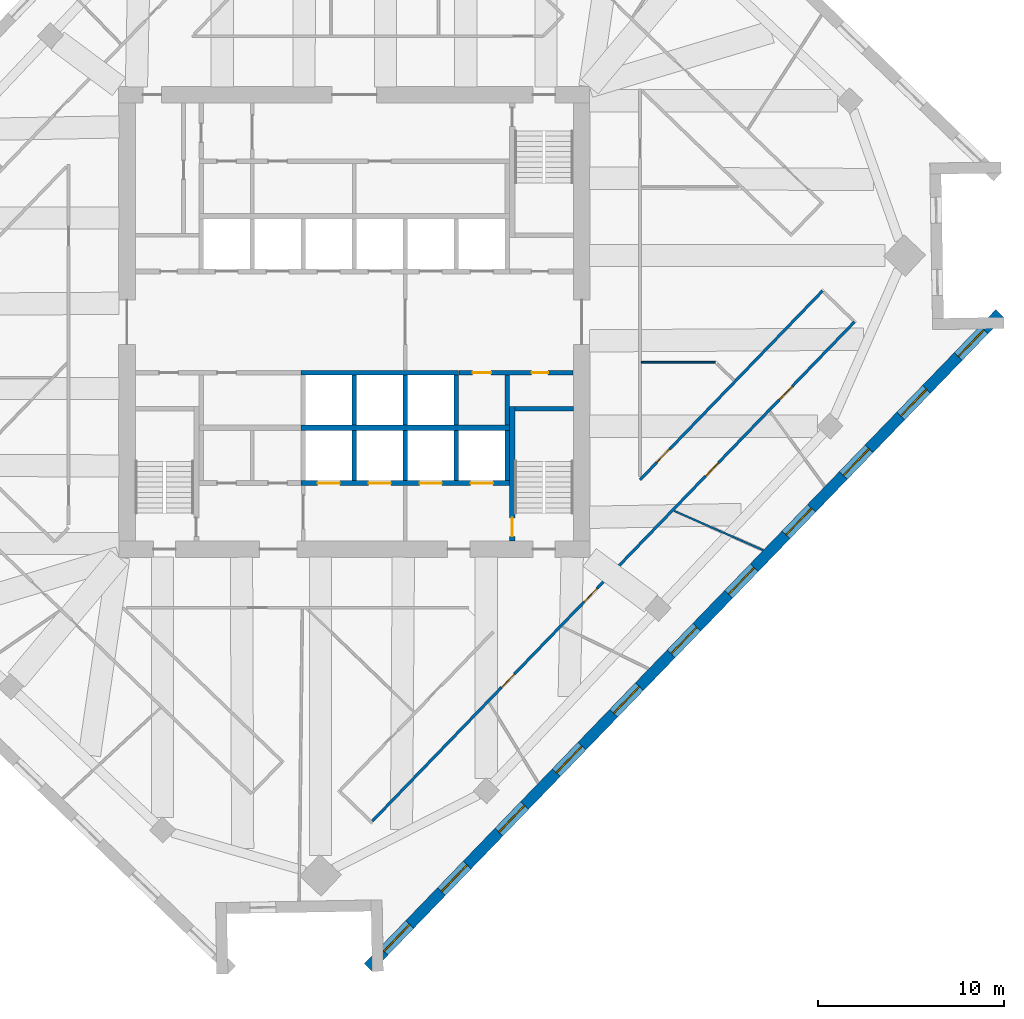
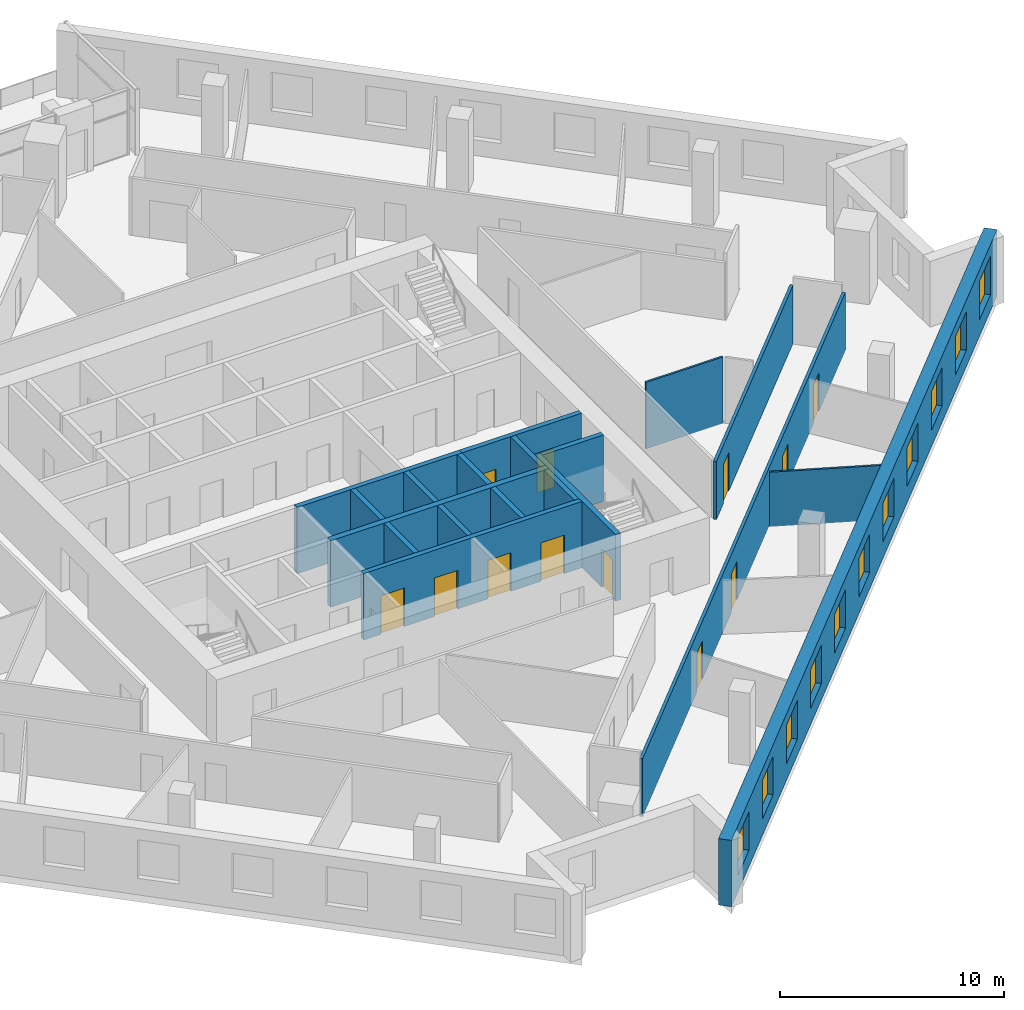
# One storey, part 7 of 13: 19 walls, 12 doors, 11 windows, 23 openings.
"""IFC4 building model written with IfcOpenShell, lengths in metres."""

from ifc_helpers import new_model, si_unit, direction, frame, frame_2d, origin, place, context, subcontext, project, spatial, rectangle, extrude, material, layer, layer_set, type_object, element, fill, save


model = new_model("IFC4")

# Units and contexts
model_context = context("Model", 3, precision=1e-05, world=origin(), true_north=direction((0.0, 1.0)))
body_context = subcontext(model_context, "Body", "Model", "MODEL_VIEW")
ifc_project = project(units=[si_unit("LENGTHUNIT", "METRE"), si_unit("AREAUNIT", "SQUARE_METRE"), si_unit("VOLUMEUNIT", "CUBIC_METRE"), si_unit("PLANEANGLEUNIT", "RADIAN"), si_unit("MASSUNIT", "GRAM", prefix="KILO")], contexts=[model_context])

# Site, building, storey
site_placement = place(None, origin())
site = spatial("IfcSite", under=ifc_project, at=site_placement, CompositionType="ELEMENT")
building_placement = place(site_placement, origin())
building = spatial("IfcBuilding", under=site, at=building_placement, Name="Dilmun Exchange Tower", CompositionType="ELEMENT")
storey_placement = place(building_placement, frame((0.0, 0.0, 205.300048828125)))
storey = spatial("IfcBuildingStorey", under=building, at=storey_placement, Name="L48", CompositionType="ELEMENT", Elevation=205.300048828125)

# Wall
ifc_material_1 = material(Name="Concrete C40/50", Category="concrete")
ifc_layer_1 = layer(ifc_material_1, 0.25)
ifc_layer_set_1 = layer_set([ifc_layer_1], Name="Concrete C40/50")
wall_type_1 = type_object("IfcWallType", Name="Core partition wall 250", PredefinedType="PARTITIONING", material=ifc_layer_set_1)
wall_1_placement = place(storey_placement, frame((8.25, -5.544921875, 0.0), z_axis=(0.0, 0.0, 1.0), x_axis=(0.0, 1.0, 0.0)))
element("IfcWall", 1, at=wall_1_placement, inside=storey, type_object=wall_type_1, Name="L48 core partition wall 08", PredefinedType="PARTITIONING", context=body_context, shape_type="SweptSolid", body=[
    extrude(rectangle(XDim=2.68994140625, YDim=0.25, at=frame_2d((1.344970703125, 0.0))), origin(), (0.0, 0.0, 1.0), 3.619873046875),
])

# Wall, openings, doors
wall_2_placement = place(storey_placement, frame((5.6298828125, -2.72509765625, 0.0), z_axis=(0.0, 0.0, 1.0), x_axis=(1.0, 0.0, 0.0)))
wall_2 = element("IfcWall", 2, at=wall_2_placement, inside=storey, type_object=wall_type_1, Name="L48 core partition wall 10", PredefinedType="PARTITIONING", context=body_context, shape_type="SweptSolid", body=[
    extrude(rectangle(XDim=6.1650390625, YDim=0.25, at=frame_2d((3.08251953125, 0.0))), origin(), (0.0, 0.0, 1.0), 3.619873046875),
])
opening_1_placement = place(wall_2_placement, frame((0.7451171875, 0.0, 0.0)))
opening_1 = element("IfcOpeningElement", 3, at=opening_1_placement, cuts=wall_2, Name="Opening CD4", PredefinedType="OPENING", context=body_context, shape_type="SweptSolid", body=[
    extrude(rectangle(XDim=1.0, YDim=2.10009765625, at=frame_2d((0.5, 1.050048828125))), frame((0.0, 0.135009765625, 0.0), z_axis=(0.0, -1.0, 0.0), x_axis=(1.0, 0.0, 0.0)), (0.0, 0.0, 1.0), 0.27001953125),
])
opening_2_placement = place(wall_2_placement, frame((3.919921875, 0.0, 0.0)))
opening_2 = element("IfcOpeningElement", 4, at=opening_2_placement, cuts=wall_2, Name="Opening CD6", PredefinedType="OPENING", context=body_context, shape_type="SweptSolid", body=[
    extrude(rectangle(XDim=0.89990234375, YDim=2.10009765625, at=frame_2d((0.449951171875, 1.050048828125))), frame((0.0, 0.135009765625, 0.0), z_axis=(0.0, -1.0, 0.0), x_axis=(1.0, 0.0, 0.0)), (0.0, 0.0, 1.0), 0.27001953125),
])
ifc_material_2 = material(Name="Fire-rated steel door set", Category="steel")
door_type_1 = type_object("IfcDoorType", Name="Core room door 1000x2100", OperationType="SINGLE_SWING_LEFT", PredefinedType="DOOR", material=ifc_material_2)
door_1_placement = place(opening_1_placement, origin())
door_1 = element("IfcDoor", 5, at=door_1_placement, inside=storey, type_object=door_type_1, Name="L48 door Cleaners' store", OperationType="SINGLE_SWING_LEFT", OverallHeight=2.10009765625, OverallWidth=1.0, PredefinedType="DOOR", context=body_context, shape_type="SweptSolid", body=[
    extrude(rectangle(XDim=1.0, YDim=2.10009765625, at=frame_2d((0.5, 1.050048828125))), frame((0.0, 0.02490234375, 0.0), z_axis=(0.0, -1.0, 0.0), x_axis=(1.0, 0.0, 0.0)), (0.0, 0.0, 1.0), 0.050048828125),
])
fill(opening_1, door_1)
door_type_2 = type_object("IfcDoorType", Name="Core room door 900x2100", OperationType="SINGLE_SWING_LEFT", PredefinedType="DOOR", material=ifc_material_2)
door_2_placement = place(opening_2_placement, origin())
door_2 = element("IfcDoor", 6, at=door_2_placement, inside=storey, type_object=door_type_2, Name="L48 door Comms riser", OperationType="SINGLE_SWING_LEFT", OverallHeight=2.10009765625, OverallWidth=0.89990234375, PredefinedType="DOOR", context=body_context, shape_type="SweptSolid", body=[
    extrude(rectangle(XDim=0.89990234375, YDim=2.10009765625, at=frame_2d((0.449951171875, 1.050048828125))), frame((0.0, 0.02490234375, 0.0), z_axis=(0.0, -1.0, 0.0), x_axis=(1.0, 0.0, 0.0)), (0.0, 0.0, 1.0), 0.050048828125),
])
fill(opening_2, door_2)

ifc_material_3 = material(Name="Corridor wall 150")
ifc_layer_2 = layer(ifc_material_3, 0.14990234375)
ifc_layer_set_2 = layer_set([ifc_layer_2], Name="Corridor wall 150")
wall_type_2 = type_object("IfcWallType", Name="Corridor wall 150", PredefinedType="PARTITIONING", material=ifc_layer_set_2)
wall_3_placement = place(storey_placement, frame((0.97705078125, -26.889892578125, 0.0), z_axis=(0.0, 0.0, 1.0), x_axis=(0.694659509326, 0.719338700546, 0.0)))
wall_3 = element("IfcWall", 7, at=wall_3_placement, inside=storey, type_object=wall_type_2, Name="Corridor wall", PredefinedType="PARTITIONING", context=body_context, shape_type="SweptSolid", body=[
    extrude(rectangle(XDim=37.40380859375, YDim=0.14990234375, at=frame_2d((18.701904296875, 0.0))), origin(), (0.0, 0.0, 1.0), 3.169921875),
])
opening_3_placement = place(wall_3_placement, frame((10.01708984375, 0.0, 0.0)))
opening_3 = element("IfcOpeningElement", 8, at=opening_3_placement, cuts=wall_3, Name="Opening TF48-D16", PredefinedType="OPENING", context=body_context, shape_type="SweptSolid", body=[
    extrude(rectangle(XDim=1.0, YDim=2.10009765625, at=frame_2d((0.5, 1.050048828125))), frame((0.0, 0.0849609375, 0.0), z_axis=(0.0, -1.0, 0.0), x_axis=(1.0, 0.0, 0.0)), (0.0, 0.0, 1.0), 0.169921875),
])
opening_4_placement = place(wall_3_placement, frame((16.41552734375, 0.0, 0.0)))
opening_4 = element("IfcOpeningElement", 9, at=opening_4_placement, cuts=wall_3, Name="Opening TF48-D18", PredefinedType="OPENING", context=body_context, shape_type="SweptSolid", body=[
    extrude(rectangle(XDim=1.0, YDim=2.10009765625, at=frame_2d((0.5, 1.050048828125))), frame((0.0, 0.0849609375, 0.0), z_axis=(0.0, -1.0, 0.0), x_axis=(1.0, 0.0, 0.0)), (0.0, 0.0, 1.0), 0.169921875),
])
opening_5_placement = place(wall_3_placement, frame((25.837646484375, 0.0, 0.0)))
opening_5 = element("IfcOpeningElement", 10, at=opening_5_placement, cuts=wall_3, Name="Opening TF48-D22", PredefinedType="OPENING", context=body_context, shape_type="SweptSolid", body=[
    extrude(rectangle(XDim=1.0, YDim=2.10009765625, at=frame_2d((0.5, 1.050048828125))), frame((0.0, 0.0849609375, 0.0), z_axis=(0.0, -1.0, 0.0), x_axis=(1.0, 0.0, 0.0)), (0.0, 0.0, 1.0), 0.169921875),
])
opening_6_placement = place(wall_3_placement, frame((31.565673828125, 0.0, 0.0)))
opening_6 = element("IfcOpeningElement", 11, at=opening_6_placement, cuts=wall_3, Name="Opening TF48-D24", PredefinedType="OPENING", context=body_context, shape_type="SweptSolid", body=[
    extrude(rectangle(XDim=1.0, YDim=2.10009765625, at=frame_2d((0.5, 1.050048828125))), frame((0.0, 0.0849609375, 0.0), z_axis=(0.0, -1.0, 0.0), x_axis=(1.0, 0.0, 0.0)), (0.0, 0.0, 1.0), 0.169921875),
])
ifc_material_4 = material(Name="Fire door 1000 x 2100")
door_type_3 = type_object("IfcDoorType", Name="Fire door 1000 x 2100", OperationType="NOTDEFINED", PredefinedType="DOOR", material=ifc_material_4)
door_3_placement = place(opening_3_placement, frame((1.0, 0.0, 0.0), z_axis=(0.0, 0.0, 1.0), x_axis=(-1.0, 0.0, 0.0)))
door_3 = element("IfcDoor", 12, at=door_3_placement, inside=storey, type_object=door_type_3, Name="Door TF48-D16", OperationType="SINGLE_SWING_LEFT", OverallHeight=2.10009765625, OverallWidth=1.0, PredefinedType="DOOR", context=body_context, shape_type="SweptSolid", body=[
    extrude(rectangle(XDim=1.0, YDim=2.10009765625, at=frame_2d((0.5, 1.050048828125))), frame((0.0, 0.02490234375, 0.0), z_axis=(0.0, -1.0, 0.0), x_axis=(1.0, 0.0, 0.0)), (0.0, 0.0, 1.0), 0.050048828125),
])
fill(opening_3, door_3)
door_4_placement = place(opening_4_placement, frame((1.0, 0.0, 0.0), z_axis=(0.0, 0.0, 1.0), x_axis=(-1.0, 0.0, 0.0)))
door_4 = element("IfcDoor", 13, at=door_4_placement, inside=storey, type_object=door_type_3, Name="Door TF48-D18", OperationType="SINGLE_SWING_RIGHT", OverallHeight=2.10009765625, OverallWidth=1.0, PredefinedType="DOOR", context=body_context, shape_type="SweptSolid", body=[
    extrude(rectangle(XDim=1.0, YDim=2.10009765625, at=frame_2d((0.5, 1.050048828125))), frame((0.0, 0.02490234375, 0.0), z_axis=(0.0, -1.0, 0.0), x_axis=(1.0, 0.0, 0.0)), (0.0, 0.0, 1.0), 0.050048828125),
])
fill(opening_4, door_4)
door_5_placement = place(opening_5_placement, frame((1.0, 0.0, 0.0), z_axis=(0.0, 0.0, 1.0), x_axis=(-1.0, 0.0, 0.0)))
door_5 = element("IfcDoor", 14, at=door_5_placement, inside=storey, type_object=door_type_3, Name="Door TF48-D22", OperationType="SINGLE_SWING_RIGHT", OverallHeight=2.10009765625, OverallWidth=1.0, PredefinedType="DOOR", context=body_context, shape_type="SweptSolid", body=[
    extrude(rectangle(XDim=1.0, YDim=2.10009765625, at=frame_2d((0.5, 1.050048828125))), frame((0.0, 0.02490234375, 0.0), z_axis=(0.0, -1.0, 0.0), x_axis=(1.0, 0.0, 0.0)), (0.0, 0.0, 1.0), 0.050048828125),
])
fill(opening_5, door_5)
door_6_placement = place(opening_6_placement, frame((1.0, 0.0, 0.0), z_axis=(0.0, 0.0, 1.0), x_axis=(-1.0, 0.0, 0.0)))
door_6 = element("IfcDoor", 15, at=door_6_placement, inside=storey, type_object=door_type_3, Name="Door TF48-D24", OperationType="SINGLE_SWING_RIGHT", OverallHeight=2.10009765625, OverallWidth=1.0, PredefinedType="DOOR", context=body_context, shape_type="SweptSolid", body=[
    extrude(rectangle(XDim=1.0, YDim=2.10009765625, at=frame_2d((0.5, 1.050048828125))), frame((0.0, 0.02490234375, 0.0), z_axis=(0.0, -1.0, 0.0), x_axis=(1.0, 0.0, 0.0)), (0.0, 0.0, 1.0), 0.050048828125),
])
fill(opening_6, door_6)

# Wall, opening, door
wall_4_placement = place(storey_placement, frame((15.39990234375, -8.5, 0.0), z_axis=(0.0, 0.0, 1.0), x_axis=(0.694668375929, 0.719330138034, 0.0)))
wall_4 = element("IfcWall", 16, at=wall_4_placement, inside=storey, type_object=wall_type_2, Name="Corridor wall", PredefinedType="PARTITIONING", context=body_context, shape_type="SweptSolid", body=[
    extrude(rectangle(XDim=14.156494140625, YDim=0.14990234375, at=frame_2d((7.078125, 0.0))), origin(), (0.0, 0.0, 1.0), 3.169921875),
])
opening_7_placement = place(wall_4_placement, frame((1.30029296875, 0.0, 0.0)))
opening_7 = element("IfcOpeningElement", 17, at=opening_7_placement, cuts=wall_4, Name="Opening TF48-D20", PredefinedType="OPENING", context=body_context, shape_type="SweptSolid", body=[
    extrude(rectangle(XDim=1.0, YDim=2.10009765625, at=frame_2d((0.5, 1.050048828125))), frame((0.0, 0.0849609375, 0.0), z_axis=(0.0, -1.0, 0.0), x_axis=(1.0, 0.0, 0.0)), (0.0, 0.0, 1.0), 0.169921875),
])
door_7_placement = place(opening_7_placement, origin())
door_7 = element("IfcDoor", 18, at=door_7_placement, inside=storey, type_object=door_type_3, Name="Door TF48-D20", OperationType="SINGLE_SWING_RIGHT", OverallHeight=2.10009765625, OverallWidth=1.0, PredefinedType="DOOR", context=body_context, shape_type="SweptSolid", body=[
    extrude(rectangle(XDim=1.0, YDim=2.10009765625, at=frame_2d((0.5, 1.050048828125))), frame((0.0, 0.02490234375, 0.0), z_axis=(0.0, -1.0, 0.0), x_axis=(1.0, 0.0, 0.0)), (0.0, 0.0, 1.0), 0.050048828125),
])
fill(opening_7, door_7)

# Walls
ifc_layer_3 = layer(ifc_material_1, 0.300048828125)
ifc_layer_set_3 = layer_set([ifc_layer_3], Name="Concrete C40/50")
wall_type_3 = type_object("IfcWallType", Name="Lift shaft shared wall 300", PredefinedType="SOLIDWALL", material=ifc_layer_set_3)
wall_5_placement = place(storey_placement, frame((-2.875, -5.699951171875, 0.0), z_axis=(0.0, 0.0, 1.0), x_axis=(1.0, 0.0, 0.0)))
element("IfcWall", 19, at=wall_5_placement, inside=storey, type_object=wall_type_3, Name="L48 lift shaft rear wall S", PredefinedType="SOLIDWALL", context=body_context, shape_type="SweptSolid", body=[
    extrude(rectangle(XDim=11.25, YDim=0.300048828125, at=frame_2d((5.625, 0.0))), origin(), (0.0, 0.0, 1.0), 3.619873046875),
])
ifc_layer_4 = layer(ifc_material_1, 0.25)
ifc_layer_set_4 = layer_set([ifc_layer_4], Name="Concrete C40/50")
wall_type_4 = type_object("IfcWallType", Name="Lift shaft wall 250", PredefinedType="SOLIDWALL", material=ifc_layer_set_4)
wall_6_placement = place(storey_placement, frame((-2.875, -2.72509765625, 0.0), z_axis=(0.0, 0.0, 1.0), x_axis=(1.0, 0.0, 0.0)))
element("IfcWall", 20, at=wall_6_placement, inside=storey, type_object=wall_type_4, Name="L48 lift shaft front wall S1", PredefinedType="SOLIDWALL", context=body_context, shape_type="SweptSolid", body=[
    extrude(rectangle(XDim=8.5, YDim=0.25, at=frame_2d((4.25, 0.0))), origin(), (0.0, 0.0, 1.0), 3.619873046875),
])
for number, where, z_axis, x_axis, name in (
    (21, (0.0, -5.550048828125, 0.0), (0.0, 0.0, 1.0), (0.0, 1.0, 0.0), "L48 lift shaft divider S13"),
    (22, (2.75, -5.550048828125, 0.0), (0.0, 0.0, 1.0), (0.0, 1.0, 0.0), "L48 lift shaft divider S14"),
    (23, (5.5, -5.550048828125, 0.0), (0.0, 0.0, 1.0), (0.0, 1.0, 0.0), "L48 lift shaft divider S15"),
):
    element("IfcWall", number, at=place(storey_placement, frame(where, z_axis=z_axis, x_axis=x_axis)), inside=storey, type_object=wall_type_4, Name=name, PredefinedType="SOLIDWALL", context=body_context, shape_type="SweptSolid", body=[
        extrude(rectangle(XDim=2.699951171875, YDim=0.25, at=frame_2d((1.35009765625, 0.0))), origin(), (0.0, 0.0, 1.0), 3.619873046875),
    ])

# Wall, openings, doors
wall_7_placement = place(storey_placement, frame((-2.875, -8.675048828125, 0.0), z_axis=(0.0, 0.0, 1.0), x_axis=(1.0, 0.0, 0.0)))
wall_7 = element("IfcWall", 24, at=wall_7_placement, inside=storey, type_object=wall_type_4, Name="L48 lift shaft front wall S2", PredefinedType="SOLIDWALL", context=body_context, shape_type="SweptSolid", body=[
    extrude(rectangle(XDim=11.25, YDim=0.25, at=frame_2d((5.625, 0.0))), origin(), (0.0, 0.0, 1.0), 3.619873046875),
])
opening_8_placement = place(wall_7_placement, frame((0.89990234375, 0.0, 0.0)))
opening_8 = element("IfcOpeningElement", 25, at=opening_8_placement, cuts=wall_7, Name="Opening LD", PredefinedType="OPENING", context=body_context, shape_type="SweptSolid", body=[
    extrude(rectangle(XDim=1.199951171875, YDim=2.10009765625, at=frame_2d((0.60009765625, 1.050048828125))), frame((0.0, 0.135009765625, 0.0), z_axis=(0.0, -1.0, 0.0), x_axis=(1.0, 0.0, 0.0)), (0.0, 0.0, 1.0), 0.27001953125),
])
opening_9_placement = place(wall_7_placement, frame((3.64990234375, 0.0, 0.0)))
opening_9 = element("IfcOpeningElement", 26, at=opening_9_placement, cuts=wall_7, Name="Opening LD", PredefinedType="OPENING", context=body_context, shape_type="SweptSolid", body=[
    extrude(rectangle(XDim=1.199951171875, YDim=2.10009765625, at=frame_2d((0.60009765625, 1.050048828125))), frame((0.0, 0.135009765625, 0.0), z_axis=(0.0, -1.0, 0.0), x_axis=(1.0, 0.0, 0.0)), (0.0, 0.0, 1.0), 0.27001953125),
])
opening_10_placement = place(wall_7_placement, frame((6.39990234375, 0.0, 0.0)))
opening_10 = element("IfcOpeningElement", 27, at=opening_10_placement, cuts=wall_7, Name="Opening LD", PredefinedType="OPENING", context=body_context, shape_type="SweptSolid", body=[
    extrude(rectangle(XDim=1.199951171875, YDim=2.10009765625, at=frame_2d((0.60009765625, 1.050048828125))), frame((0.0, 0.135009765625, 0.0), z_axis=(0.0, -1.0, 0.0), x_axis=(1.0, 0.0, 0.0)), (0.0, 0.0, 1.0), 0.27001953125),
])
opening_11_placement = place(wall_7_placement, frame((9.14990234375, 0.0, 0.0)))
opening_11 = element("IfcOpeningElement", 28, at=opening_11_placement, cuts=wall_7, Name="Opening LD", PredefinedType="OPENING", context=body_context, shape_type="SweptSolid", body=[
    extrude(rectangle(XDim=1.199951171875, YDim=2.10009765625, at=frame_2d((0.60009765625, 1.050048828125))), frame((0.0, 0.135009765625, 0.0), z_axis=(0.0, -1.0, 0.0), x_axis=(1.0, 0.0, 0.0)), (0.0, 0.0, 1.0), 0.27001953125),
])
door_type_4 = type_object("IfcDoorType", Name="Lift landing door 1200x2100", OperationType="DOUBLE_DOOR_SLIDING", PredefinedType="DOOR", material=ifc_material_2)
door_8_placement = place(opening_8_placement, origin())
door_8 = element("IfcDoor", 29, at=door_8_placement, inside=storey, type_object=door_type_4, Name="L48 landing door SV1", OperationType="DOUBLE_DOOR_SLIDING", OverallHeight=2.10009765625, OverallWidth=1.199951171875, PredefinedType="DOOR", context=body_context, shape_type="SweptSolid", body=[
    extrude(rectangle(XDim=1.199951171875, YDim=2.10009765625, at=frame_2d((0.60009765625, 1.050048828125))), frame((0.0, 0.02490234375, 0.0), z_axis=(0.0, -1.0, 0.0), x_axis=(1.0, 0.0, 0.0)), (0.0, 0.0, 1.0), 0.050048828125),
])
fill(opening_8, door_8)
door_9_placement = place(opening_9_placement, origin())
door_9 = element("IfcDoor", 30, at=door_9_placement, inside=storey, type_object=door_type_4, Name="L48 landing door SV2", OperationType="DOUBLE_DOOR_SLIDING", OverallHeight=2.10009765625, OverallWidth=1.199951171875, PredefinedType="DOOR", context=body_context, shape_type="SweptSolid", body=[
    extrude(rectangle(XDim=1.199951171875, YDim=2.10009765625, at=frame_2d((0.60009765625, 1.050048828125))), frame((0.0, 0.02490234375, 0.0), z_axis=(0.0, -1.0, 0.0), x_axis=(1.0, 0.0, 0.0)), (0.0, 0.0, 1.0), 0.050048828125),
])
fill(opening_9, door_9)
door_10_placement = place(opening_10_placement, origin())
door_10 = element("IfcDoor", 31, at=door_10_placement, inside=storey, type_object=door_type_4, Name="L48 landing door FF1", OperationType="DOUBLE_DOOR_SLIDING", OverallHeight=2.10009765625, OverallWidth=1.199951171875, PredefinedType="DOOR", context=body_context, shape_type="SweptSolid", body=[
    extrude(rectangle(XDim=1.199951171875, YDim=2.10009765625, at=frame_2d((0.60009765625, 1.050048828125))), frame((0.0, 0.02490234375, 0.0), z_axis=(0.0, -1.0, 0.0), x_axis=(1.0, 0.0, 0.0)), (0.0, 0.0, 1.0), 0.050048828125),
])
fill(opening_10, door_10)
door_11_placement = place(opening_11_placement, origin())
door_11 = element("IfcDoor", 32, at=door_11_placement, inside=storey, type_object=door_type_4, Name="L48 landing door FF2", OperationType="DOUBLE_DOOR_SLIDING", OverallHeight=2.10009765625, OverallWidth=1.199951171875, PredefinedType="DOOR", context=body_context, shape_type="SweptSolid", body=[
    extrude(rectangle(XDim=1.199951171875, YDim=2.10009765625, at=frame_2d((0.60009765625, 1.050048828125))), frame((0.0, 0.02490234375, 0.0), z_axis=(0.0, -1.0, 0.0), x_axis=(1.0, 0.0, 0.0)), (0.0, 0.0, 1.0), 0.050048828125),
])
fill(opening_11, door_11)

# Walls
for number, where, z_axis, x_axis, name in (
    (33, (0.0, -8.550048828125, 0.0), (0.0, 0.0, 1.0), (0.0, 1.0, 0.0), "L48 lift shaft divider S23"),
    (34, (2.75, -8.550048828125, 0.0), (0.0, 0.0, 1.0), (0.0, 1.0, 0.0), "L48 lift shaft divider S24"),
    (35, (5.5, -8.550048828125, 0.0), (0.0, 0.0, 1.0), (0.0, 1.0, 0.0), "L48 lift shaft divider S25"),
    (36, (8.25, -8.550048828125, 0.0), (0.0, 0.0, 1.0), (0.0, 1.0, 0.0), "L48 lift shaft divider S26"),
):
    element("IfcWall", number, at=place(storey_placement, frame(where, z_axis=z_axis, x_axis=x_axis)), inside=storey, type_object=wall_type_4, Name=name, PredefinedType="SOLIDWALL", context=body_context, shape_type="SweptSolid", body=[
        extrude(rectangle(XDim=2.699951171875, YDim=0.25, at=frame_2d((1.35009765625, 0.0))), origin(), (0.0, 0.0, 1.0), 3.619873046875),
    ])
ifc_material_5 = material(Name="Partition 100")
ifc_layer_5 = layer(ifc_material_5, 0.10009765625)
ifc_layer_set_5 = layer_set([ifc_layer_5], Name="Partition 100")
wall_type_5 = type_object("IfcWallType", Name="Partition 100", PredefinedType="PARTITIONING", material=ifc_layer_set_5)
wall_8_placement = place(storey_placement, frame((15.47509765625, -2.162109375, 0.0), z_axis=(0.0, 0.0, 1.0), x_axis=(1.0, 0.0, 0.0)))
element("IfcWall", 37, at=wall_8_placement, inside=storey, type_object=wall_type_5, Name="Partition", PredefinedType="PARTITIONING", context=body_context, shape_type="SweptSolid", body=[
    extrude(rectangle(XDim=3.97900390625, YDim=0.10009765625, at=frame_2d((1.989501953125, 0.0))), origin(), (0.0, 0.0, 1.0), 3.619873046875),
])
wall_9_placement = place(storey_placement, frame((17.243896484375, -10.177734375, 0.0), z_axis=(0.0, 0.0, 1.0), x_axis=(0.914761015663, -0.403995401239, 0.0)))
element("IfcWall", 38, at=wall_9_placement, inside=storey, type_object=wall_type_5, Name="Partition", PredefinedType="PARTITIONING", context=body_context, shape_type="SweptSolid", body=[
    extrude(rectangle(XDim=5.245361328125, YDim=0.10009765625, at=frame_2d((2.62255859375, 0.0))), origin(), (0.0, 0.0, 1.0), 2.969970703125),
])

# Wall, openings, windows
ifc_material_6 = material(Name="Precast concrete C50/60", Category="concrete")
ifc_layer_6 = layer(ifc_material_6, 0.60009765625)
ifc_layer_set_6 = layer_set([ifc_layer_6], Name="Precast concrete C50/60")
wall_type_6 = type_object("IfcWallType", Name="Precast stone-clad wall 600", PredefinedType="STANDARD", material=ifc_layer_set_6)
wall_10_placement = place(storey_placement, frame((0.74853515625, -34.781982421875, 0.0), z_axis=(0.0, 0.0, 1.0), x_axis=(0.694657553534, 0.719340589233, 0.0)))
wall_10 = element("IfcWall", 39, at=wall_10_placement, inside=storey, type_object=wall_type_6, Name="Facade wall L48-11", PredefinedType="STANDARD", context=body_context, shape_type="SweptSolid", body=[
    extrude(rectangle(XDim=49.000244140625, YDim=0.60009765625, at=frame_2d((24.5, 0.0))), origin(), (0.0, 0.0, 1.0), 3.619873046875),
])
opening_12_placement = place(wall_10_placement, frame((1.227294921875, 0.0, 0.89990234375)))
opening_12 = element("IfcOpeningElement", 40, at=opening_12_placement, cuts=wall_10, Name="Opening W200-210", PredefinedType="OPENING", context=body_context, shape_type="SweptSolid", body=[
    extrude(rectangle(XDim=2.0, YDim=2.10009765625, at=frame_2d((1.0, 1.050048828125))), frame((0.0, 0.31005859375, 0.0), z_axis=(0.0, -1.0, 0.0), x_axis=(1.0, 0.0, 0.0)), (0.0, 0.0, 1.0), 0.6201171875),
])
opening_13_placement = place(wall_10_placement, frame((5.681884765625, 0.0, 0.89990234375)))
opening_13 = element("IfcOpeningElement", 41, at=opening_13_placement, cuts=wall_10, Name="Opening W200-210", PredefinedType="OPENING", context=body_context, shape_type="SweptSolid", body=[
    extrude(rectangle(XDim=2.0, YDim=2.10009765625, at=frame_2d((1.0, 1.050048828125))), frame((0.0, 0.31005859375, 0.0), z_axis=(0.0, -1.0, 0.0), x_axis=(1.0, 0.0, 0.0)), (0.0, 0.0, 1.0), 0.6201171875),
])
opening_14_placement = place(wall_10_placement, frame((10.136474609375, 0.0, 0.89990234375)))
opening_14 = element("IfcOpeningElement", 42, at=opening_14_placement, cuts=wall_10, Name="Opening W200-210", PredefinedType="OPENING", context=body_context, shape_type="SweptSolid", body=[
    extrude(rectangle(XDim=2.0, YDim=2.10009765625, at=frame_2d((1.0, 1.050048828125))), frame((0.0, 0.31005859375, 0.0), z_axis=(0.0, -1.0, 0.0), x_axis=(1.0, 0.0, 0.0)), (0.0, 0.0, 1.0), 0.6201171875),
])
opening_15_placement = place(wall_10_placement, frame((14.5908203125, 0.0, 0.89990234375)))
opening_15 = element("IfcOpeningElement", 43, at=opening_15_placement, cuts=wall_10, Name="Opening W200-210", PredefinedType="OPENING", context=body_context, shape_type="SweptSolid", body=[
    extrude(rectangle(XDim=2.0, YDim=2.10009765625, at=frame_2d((1.0, 1.050048828125))), frame((0.0, 0.31005859375, 0.0), z_axis=(0.0, -1.0, 0.0), x_axis=(1.0, 0.0, 0.0)), (0.0, 0.0, 1.0), 0.6201171875),
])
opening_16_placement = place(wall_10_placement, frame((19.04541015625, 0.0, 0.89990234375)))
opening_16 = element("IfcOpeningElement", 44, at=opening_16_placement, cuts=wall_10, Name="Opening W200-210", PredefinedType="OPENING", context=body_context, shape_type="SweptSolid", body=[
    extrude(rectangle(XDim=2.0, YDim=2.10009765625, at=frame_2d((1.0, 1.050048828125))), frame((0.0, 0.31005859375, 0.0), z_axis=(0.0, -1.0, 0.0), x_axis=(1.0, 0.0, 0.0)), (0.0, 0.0, 1.0), 0.6201171875),
])
opening_17_placement = place(wall_10_placement, frame((23.5, 0.0, 0.89990234375)))
opening_17 = element("IfcOpeningElement", 45, at=opening_17_placement, cuts=wall_10, Name="Opening W200-210", PredefinedType="OPENING", context=body_context, shape_type="SweptSolid", body=[
    extrude(rectangle(XDim=2.0, YDim=2.10009765625, at=frame_2d((1.0, 1.050048828125))), frame((0.0, 0.31005859375, 0.0), z_axis=(0.0, -1.0, 0.0), x_axis=(1.0, 0.0, 0.0)), (0.0, 0.0, 1.0), 0.6201171875),
])
opening_18_placement = place(wall_10_placement, frame((27.95458984375, 0.0, 0.89990234375)))
opening_18 = element("IfcOpeningElement", 46, at=opening_18_placement, cuts=wall_10, Name="Opening W200-210", PredefinedType="OPENING", context=body_context, shape_type="SweptSolid", body=[
    extrude(rectangle(XDim=2.0, YDim=2.10009765625, at=frame_2d((1.0, 1.050048828125))), frame((0.0, 0.31005859375, 0.0), z_axis=(0.0, -1.0, 0.0), x_axis=(1.0, 0.0, 0.0)), (0.0, 0.0, 1.0), 0.6201171875),
])
opening_19_placement = place(wall_10_placement, frame((32.4091796875, 0.0, 0.89990234375)))
opening_19 = element("IfcOpeningElement", 47, at=opening_19_placement, cuts=wall_10, Name="Opening W200-210", PredefinedType="OPENING", context=body_context, shape_type="SweptSolid", body=[
    extrude(rectangle(XDim=2.0, YDim=2.10009765625, at=frame_2d((1.0, 1.050048828125))), frame((0.0, 0.31005859375, 0.0), z_axis=(0.0, -1.0, 0.0), x_axis=(1.0, 0.0, 0.0)), (0.0, 0.0, 1.0), 0.6201171875),
])
opening_20_placement = place(wall_10_placement, frame((36.863525390625, 0.0, 0.89990234375)))
opening_20 = element("IfcOpeningElement", 48, at=opening_20_placement, cuts=wall_10, Name="Opening W200-210", PredefinedType="OPENING", context=body_context, shape_type="SweptSolid", body=[
    extrude(rectangle(XDim=2.0, YDim=2.10009765625, at=frame_2d((1.0, 1.050048828125))), frame((0.0, 0.31005859375, 0.0), z_axis=(0.0, -1.0, 0.0), x_axis=(1.0, 0.0, 0.0)), (0.0, 0.0, 1.0), 0.6201171875),
])
opening_21_placement = place(wall_10_placement, frame((41.318115234375, 0.0, 0.89990234375)))
opening_21 = element("IfcOpeningElement", 49, at=opening_21_placement, cuts=wall_10, Name="Opening W200-210", PredefinedType="OPENING", context=body_context, shape_type="SweptSolid", body=[
    extrude(rectangle(XDim=2.0, YDim=2.10009765625, at=frame_2d((1.0, 1.050048828125))), frame((0.0, 0.31005859375, 0.0), z_axis=(0.0, -1.0, 0.0), x_axis=(1.0, 0.0, 0.0)), (0.0, 0.0, 1.0), 0.6201171875),
])
opening_22_placement = place(wall_10_placement, frame((45.772705078125, 0.0, 0.89990234375)))
opening_22 = element("IfcOpeningElement", 50, at=opening_22_placement, cuts=wall_10, Name="Opening W200-210", PredefinedType="OPENING", context=body_context, shape_type="SweptSolid", body=[
    extrude(rectangle(XDim=2.0, YDim=2.10009765625, at=frame_2d((1.0, 1.050048828125))), frame((0.0, 0.31005859375, 0.0), z_axis=(0.0, -1.0, 0.0), x_axis=(1.0, 0.0, 0.0)), (0.0, 0.0, 1.0), 0.6201171875),
])
ifc_material_7 = material(Name="Clear low-emissivity glass in aluminium frame", Category="aluminium")
window_type = type_object("IfcWindowType", Name="Punched window 2000 x 2100", PartitioningType="DOUBLE_PANEL_VERTICAL", PredefinedType="WINDOW", material=ifc_material_7)
window_1_placement = place(opening_12_placement, origin())
window_1 = element("IfcWindow", 51, at=window_1_placement, inside=storey, type_object=window_type, Name="Window 12.1", OverallHeight=2.10009765625, OverallWidth=2.0, PartitioningType="SINGLE_PANEL", PredefinedType="WINDOW", context=body_context, shape_type="SweptSolid", body=[
    extrude(rectangle(XDim=2.0, YDim=2.10009765625, at=frame_2d((1.0, 1.050048828125))), frame((0.0, 0.030029296875, 0.0), z_axis=(0.0, -1.0, 0.0), x_axis=(1.0, 0.0, 0.0)), (0.0, 0.0, 1.0), 0.06005859375),
])
fill(opening_12, window_1)
window_2_placement = place(opening_13_placement, origin())
window_2 = element("IfcWindow", 52, at=window_2_placement, inside=storey, type_object=window_type, Name="Window 12.2", OverallHeight=2.10009765625, OverallWidth=2.0, PartitioningType="SINGLE_PANEL", PredefinedType="WINDOW", context=body_context, shape_type="SweptSolid", body=[
    extrude(rectangle(XDim=2.0, YDim=2.10009765625, at=frame_2d((1.0, 1.050048828125))), frame((0.0, 0.030029296875, 0.0), z_axis=(0.0, -1.0, 0.0), x_axis=(1.0, 0.0, 0.0)), (0.0, 0.0, 1.0), 0.06005859375),
])
fill(opening_13, window_2)
window_3_placement = place(opening_14_placement, origin())
window_3 = element("IfcWindow", 53, at=window_3_placement, inside=storey, type_object=window_type, Name="Window 12.3", OverallHeight=2.10009765625, OverallWidth=2.0, PartitioningType="SINGLE_PANEL", PredefinedType="WINDOW", context=body_context, shape_type="SweptSolid", body=[
    extrude(rectangle(XDim=2.0, YDim=2.10009765625, at=frame_2d((1.0, 1.050048828125))), frame((0.0, 0.030029296875, 0.0), z_axis=(0.0, -1.0, 0.0), x_axis=(1.0, 0.0, 0.0)), (0.0, 0.0, 1.0), 0.06005859375),
])
fill(opening_14, window_3)
window_4_placement = place(opening_15_placement, origin())
window_4 = element("IfcWindow", 54, at=window_4_placement, inside=storey, type_object=window_type, Name="Window 12.4", OverallHeight=2.10009765625, OverallWidth=2.0, PartitioningType="SINGLE_PANEL", PredefinedType="WINDOW", context=body_context, shape_type="SweptSolid", body=[
    extrude(rectangle(XDim=2.0, YDim=2.10009765625, at=frame_2d((1.0, 1.050048828125))), frame((0.0, 0.030029296875, 0.0), z_axis=(0.0, -1.0, 0.0), x_axis=(1.0, 0.0, 0.0)), (0.0, 0.0, 1.0), 0.06005859375),
])
fill(opening_15, window_4)
window_5_placement = place(opening_16_placement, origin())
window_5 = element("IfcWindow", 55, at=window_5_placement, inside=storey, type_object=window_type, Name="Window 12.5", OverallHeight=2.10009765625, OverallWidth=2.0, PartitioningType="SINGLE_PANEL", PredefinedType="WINDOW", context=body_context, shape_type="SweptSolid", body=[
    extrude(rectangle(XDim=2.0, YDim=2.10009765625, at=frame_2d((1.0, 1.050048828125))), frame((0.0, 0.030029296875, 0.0), z_axis=(0.0, -1.0, 0.0), x_axis=(1.0, 0.0, 0.0)), (0.0, 0.0, 1.0), 0.06005859375),
])
fill(opening_16, window_5)
window_6_placement = place(opening_17_placement, origin())
window_6 = element("IfcWindow", 56, at=window_6_placement, inside=storey, type_object=window_type, Name="Window 12.6", OverallHeight=2.10009765625, OverallWidth=2.0, PartitioningType="SINGLE_PANEL", PredefinedType="WINDOW", context=body_context, shape_type="SweptSolid", body=[
    extrude(rectangle(XDim=2.0, YDim=2.10009765625, at=frame_2d((1.0, 1.050048828125))), frame((0.0, 0.030029296875, 0.0), z_axis=(0.0, -1.0, 0.0), x_axis=(1.0, 0.0, 0.0)), (0.0, 0.0, 1.0), 0.06005859375),
])
fill(opening_17, window_6)
window_7_placement = place(opening_18_placement, origin())
window_7 = element("IfcWindow", 57, at=window_7_placement, inside=storey, type_object=window_type, Name="Window 12.7", OverallHeight=2.10009765625, OverallWidth=2.0, PartitioningType="SINGLE_PANEL", PredefinedType="WINDOW", context=body_context, shape_type="SweptSolid", body=[
    extrude(rectangle(XDim=2.0, YDim=2.10009765625, at=frame_2d((1.0, 1.050048828125))), frame((0.0, 0.030029296875, 0.0), z_axis=(0.0, -1.0, 0.0), x_axis=(1.0, 0.0, 0.0)), (0.0, 0.0, 1.0), 0.06005859375),
])
fill(opening_18, window_7)
window_8_placement = place(opening_19_placement, origin())
window_8 = element("IfcWindow", 58, at=window_8_placement, inside=storey, type_object=window_type, Name="Window 12.8", OverallHeight=2.10009765625, OverallWidth=2.0, PartitioningType="SINGLE_PANEL", PredefinedType="WINDOW", context=body_context, shape_type="SweptSolid", body=[
    extrude(rectangle(XDim=2.0, YDim=2.10009765625, at=frame_2d((1.0, 1.050048828125))), frame((0.0, 0.030029296875, 0.0), z_axis=(0.0, -1.0, 0.0), x_axis=(1.0, 0.0, 0.0)), (0.0, 0.0, 1.0), 0.06005859375),
])
fill(opening_19, window_8)
window_9_placement = place(opening_20_placement, origin())
window_9 = element("IfcWindow", 59, at=window_9_placement, inside=storey, type_object=window_type, Name="Window 12.9", OverallHeight=2.10009765625, OverallWidth=2.0, PartitioningType="SINGLE_PANEL", PredefinedType="WINDOW", context=body_context, shape_type="SweptSolid", body=[
    extrude(rectangle(XDim=2.0, YDim=2.10009765625, at=frame_2d((1.0, 1.050048828125))), frame((0.0, 0.030029296875, 0.0), z_axis=(0.0, -1.0, 0.0), x_axis=(1.0, 0.0, 0.0)), (0.0, 0.0, 1.0), 0.06005859375),
])
fill(opening_20, window_9)
window_10_placement = place(opening_21_placement, origin())
window_10 = element("IfcWindow", 60, at=window_10_placement, inside=storey, type_object=window_type, Name="Window 12.10", OverallHeight=2.10009765625, OverallWidth=2.0, PartitioningType="SINGLE_PANEL", PredefinedType="WINDOW", context=body_context, shape_type="SweptSolid", body=[
    extrude(rectangle(XDim=2.0, YDim=2.10009765625, at=frame_2d((1.0, 1.050048828125))), frame((0.0, 0.030029296875, 0.0), z_axis=(0.0, -1.0, 0.0), x_axis=(1.0, 0.0, 0.0)), (0.0, 0.0, 1.0), 0.06005859375),
])
fill(opening_21, window_10)
window_11_placement = place(opening_22_placement, origin())
window_11 = element("IfcWindow", 61, at=window_11_placement, inside=storey, type_object=window_type, Name="Window 12.11", OverallHeight=2.10009765625, OverallWidth=2.0, PartitioningType="SINGLE_PANEL", PredefinedType="WINDOW", context=body_context, shape_type="SweptSolid", body=[
    extrude(rectangle(XDim=2.0, YDim=2.10009765625, at=frame_2d((1.0, 1.050048828125))), frame((0.0, 0.030029296875, 0.0), z_axis=(0.0, -1.0, 0.0), x_axis=(1.0, 0.0, 0.0)), (0.0, 0.0, 1.0), 0.06005859375),
])
fill(opening_22, window_11)

# Wall
ifc_layer_7 = layer(ifc_material_1, 0.25)
ifc_layer_set_7 = layer_set([ifc_layer_7], Name="Concrete C40/50")
wall_type_7 = type_object("IfcWallType", Name="Stair end wall 250", PredefinedType="SOLIDWALL", material=ifc_layer_set_7)
wall_11_placement = place(storey_placement, frame((8.64990234375, -4.675048828125, 0.0), z_axis=(0.0, 0.0, 1.0), x_axis=(1.0, 0.0, 0.0)))
element("IfcWall", 62, at=wall_11_placement, inside=storey, type_object=wall_type_7, Name="L48 ST3 far wall", PredefinedType="SOLIDWALL", context=body_context, shape_type="SweptSolid", body=[
    extrude(rectangle(XDim=3.150146484375, YDim=0.25, at=frame_2d((1.5751953125, 0.0))), origin(), (0.0, 0.0, 1.0), 3.619873046875),
])

# Wall, opening, door
ifc_layer_8 = layer(ifc_material_1, 0.27490234375)
ifc_layer_set_8 = layer_set([ifc_layer_8], Name="Concrete C40/50")
wall_type_8 = type_object("IfcWallType", Name="Stair wall 275", PredefinedType="SOLIDWALL", material=ifc_layer_set_8)
wall_12_placement = place(storey_placement, frame((8.512451171875, -4.550048828125, 0.0), z_axis=(0.0, 0.0, 1.0), x_axis=(0.0, -1.0, 0.0)))
wall_12 = element("IfcWall", 63, at=wall_12_placement, inside=storey, type_object=wall_type_8, Name="L48 ST3 wall to lift block", PredefinedType="SOLIDWALL", context=body_context, shape_type="SweptSolid", body=[
    extrude(rectangle(XDim=7.25, YDim=0.27490234375, at=frame_2d((3.625, 0.0))), origin(), (0.0, 0.0, 1.0), 3.619873046875),
])
opening_23_placement = place(wall_12_placement, frame((6.0, 0.0, 0.0)))
opening_23 = element("IfcOpeningElement", 64, at=opening_23_placement, cuts=wall_12, Name="Opening CD4", PredefinedType="OPENING", context=body_context, shape_type="SweptSolid", body=[
    extrude(rectangle(XDim=1.0, YDim=2.10009765625, at=frame_2d((0.5, 1.050048828125))), frame((0.0, 0.1474609375, 0.0), z_axis=(0.0, -1.0, 0.0), x_axis=(1.0, 0.0, 0.0)), (0.0, 0.0, 1.0), 0.294921875),
])
door_12_placement = place(opening_23_placement, origin())
door_12 = element("IfcDoor", 65, at=door_12_placement, inside=storey, type_object=door_type_1, Name="L48 door ST3 from lobby", OperationType="SINGLE_SWING_LEFT", OverallHeight=2.10009765625, OverallWidth=1.0, PredefinedType="DOOR", context=body_context, shape_type="SweptSolid", body=[
    extrude(rectangle(XDim=1.0, YDim=2.10009765625, at=frame_2d((0.5, 1.050048828125))), frame((0.0, 0.02490234375, 0.0), z_axis=(0.0, -1.0, 0.0), x_axis=(1.0, 0.0, 0.0)), (0.0, 0.0, 1.0), 0.050048828125),
])
fill(opening_23, door_12)

save(model, "model.ifc")
